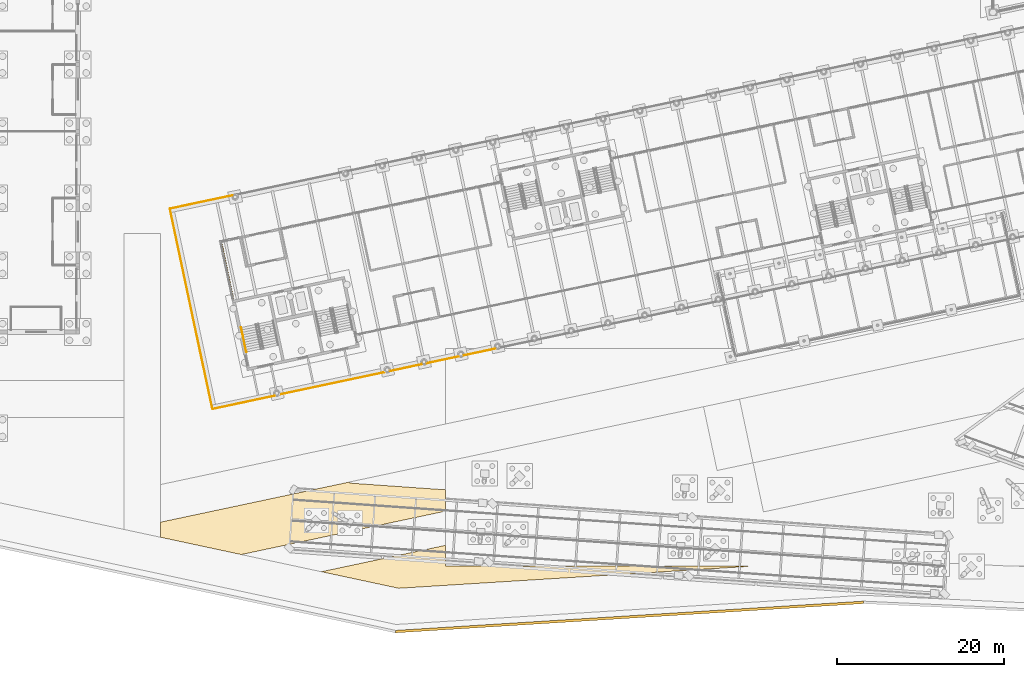
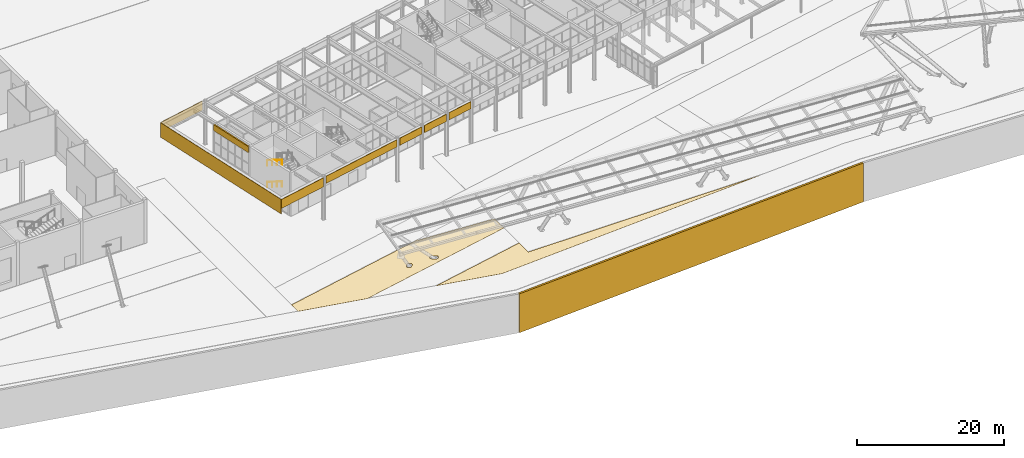
# One storey, part 203 of 239: 11 coverings, 2 railings.
"""IFC4 building model written with IfcOpenShell, lengths in metres."""

from ifc_helpers import new_model, si_unit, direction, frame, origin, origin_2d, place, context, subcontext, project, spatial, polyline, rectangle, circle, outline, extrude, material, layer, layer_set, type_object, element, save


model = new_model("IFC4")

# Units and contexts
model_context = context("Model", 3, precision=1e-05, world=origin(), true_north=direction((0.0, 1.0)))
body_context = subcontext(model_context, "Body", "Model", "MODEL_VIEW")
ifc_project = project(units=[si_unit("LENGTHUNIT", "METRE"), si_unit("AREAUNIT", "SQUARE_METRE"), si_unit("VOLUMEUNIT", "CUBIC_METRE"), si_unit("PLANEANGLEUNIT", "RADIAN"), si_unit("MASSUNIT", "GRAM", prefix="KILO")], contexts=[model_context])

# Site, building, storey
site_placement = place(None, origin())
site = spatial("IfcSite", under=ifc_project, at=site_placement, CompositionType="ELEMENT")
building_placement = place(site_placement, origin())
building = spatial("IfcBuilding", under=site, at=building_placement, Name="Okhra Congress Centre", CompositionType="ELEMENT")
storey_placement = place(building_placement, origin())
storey = spatial("IfcBuildingStorey", under=building, at=storey_placement, Name="L00", CompositionType="ELEMENT", Elevation=0.0)

# Coverings
ifc_material_1 = material(Name="Dark bronze anodised aluminium fascia panel", Category="aluminium")
ifc_layer_1 = layer(ifc_material_1, 0.06005859375)
ifc_layer_set_1 = layer_set([ifc_layer_1], Name="Dark bronze fascia strip 60")
covering_type_1 = type_object("IfcCoveringType", Name="Dark bronze fascia strip 60", PredefinedType="CLADDING", material=ifc_layer_set_1)
covering_1_placement = place(storey_placement, frame((65.87939453125, 27.583251953125, 5.550048828125), z_axis=(0.0, 0.0, 1.0), x_axis=(0.978147600734, 0.207911690818, 0.0)))
element("IfcCovering", 1, at=covering_1_placement, inside=storey, type_object=covering_type_1, Name="Girder fascia strip", PredefinedType="CLADDING", context=body_context, shape_type="SweptSolid", body=[
    extrude(rectangle(XDim=7.64599609375, YDim=0.06005859375, at=origin_2d()), origin(), (0.0, 0.0, 1.0), 1.5),
])
covering_2_placement = place(storey_placement, frame((76.464599609375, 29.85888671875, 5.85009765625), z_axis=(0.0, 0.0, 1.0), x_axis=(0.978147600734, 0.207911690818, 0.0)))
element("IfcCovering", 2, at=covering_2_placement, inside=storey, type_object=covering_type_1, Name="Girder fascia strip", PredefinedType="CLADDING", context=body_context, shape_type="SweptSolid", body=[
    extrude(rectangle(XDim=12.991943359375, YDim=0.06005859375, at=origin_2d()), origin(), (0.0, 0.0, 1.0), 1.199951171875),
])
for number, where, z_axis, x_axis, name in (
    (3, (85.26806640625, 31.72998046875, 5.85009765625), (0.0, 0.0, 1.0), (0.978147600734, 0.207911690818, 0.0), "Girder fascia strip"),
    (4, (89.669677734375, 32.665771484375, 5.85009765625), (0.0, 0.0, 1.0), (0.978147600734, 0.207911690818, 0.0), "Girder fascia strip"),
    (5, (94.0712890625, 33.601318359375, 5.85009765625), (0.0, 0.0, 1.0), (0.978147600734, 0.207911690818, 0.0), "Girder fascia strip"),
):
    element("IfcCovering", number, at=place(storey_placement, frame(where, z_axis=z_axis, x_axis=x_axis)), inside=storey, type_object=covering_type_1, Name=name, PredefinedType="CLADDING", context=body_context, shape_type="SweptSolid", body=[
        extrude(rectangle(XDim=3.991943359375, YDim=0.06005859375, at=origin_2d()), origin(), (0.0, 0.0, 1.0), 1.199951171875),
    ])
covering_3_placement = place(storey_placement, frame((60.783447265625, 51.557861328125, 5.550048828125), z_axis=(0.0, 0.0, 1.0), x_axis=(0.978147600734, 0.207911690818, 0.0)))
element("IfcCovering", 6, at=covering_3_placement, inside=storey, type_object=covering_type_1, Name="Girder fascia strip", PredefinedType="CLADDING", context=body_context, shape_type="SweptSolid", body=[
    extrude(rectangle(XDim=7.64599609375, YDim=0.06005859375, at=origin_2d()), origin(), (0.0, 0.0, 1.0), 1.5),
])
covering_4_placement = place(storey_placement, frame((59.562744140625, 38.76953125, 4.650146484375), z_axis=(0.0, 0.0, 1.0), x_axis=(0.978147600734, 0.207911690818, 0.0)))
element("IfcCovering", 7, at=covering_4_placement, inside=storey, type_object=covering_type_1, Name="Girder fascia strip", PredefinedType="CLADDING", context=body_context, shape_type="SweptSolid", body=[
    extrude(rectangle(XDim=0.06005859375, YDim=24.449951171875, at=origin_2d()), origin(), (0.0, 0.0, 1.0), 2.39990234375),
])
ifc_material_2 = material(Name="Insulated metal sandwich panel (mineral wool core)")
ifc_layer_2 = layer(ifc_material_2, 0.199951171875)
ifc_layer_set_2 = layer_set([ifc_layer_2], Name="Insulated fascia cladding panel 200")
covering_type_2 = type_object("IfcCoveringType", Name="Insulated fascia cladding panel 200", PredefinedType="CLADDING", material=ifc_layer_set_2)
covering_5_placement = place(storey_placement, frame((63.8486328125, 43.279052734375, 6.050048828125), z_axis=(0.0, 0.0, 1.0), x_axis=(-0.207911690818, 0.978147600734, 0.0)))
element("IfcCovering", 8, at=covering_5_placement, inside=storey, type_object=covering_type_2, Name="Fascia over glazing", PredefinedType="CLADDING", context=body_context, shape_type="SweptSolid", body=[
    extrude(rectangle(XDim=7.090087890625, YDim=0.199951171875, at=origin_2d()), origin(), (0.0, 0.0, 1.0), 1.0),
])
ifc_material_3 = material(Name="Compacted engineered fill face with geotextile and turf")
ifc_layer_3 = layer(ifc_material_3, 0.300048828125)
ifc_layer_set_3 = layer_set([ifc_layer_3], Name="Site ground edge (engineered fill face)")
covering_type_3 = type_object("IfcCoveringType", Name="Site ground edge (engineered fill face)", PredefinedType="USERDEFINED", material=ifc_layer_set_3)
covering_6_placement = place(storey_placement, frame((0.0, 0.0, -6.5)))
element("IfcCovering", 9, at=covering_6_placement, inside=storey, type_object=covering_type_3, Name="Site ground edge (engineered fill face) 3", ObjectType="Site ground edge (engineered fill face)", PredefinedType="USERDEFINED", context=body_context, shape_type="SweptSolid", body=[
    extrude(outline(polyline([(84.0, 0.0), (140.0, 3.5), (139.99755859375, 3.80029296875), (84.0224609375, 0.302001953125), (84.0, 0.0)])), origin(), (0.0, 0.0, 1.0), 6.449951171875),
])
ifc_material_4 = material(Name="Compacted engineered fill with topsoil and grass or paving bed")
ifc_layer_4 = layer(ifc_material_4, 0.050048828125)
ifc_layer_set_4 = layer_set([ifc_layer_4], Name="Site ground surface (engineered fill and landscape)")
covering_type_4 = type_object("IfcCoveringType", Name="Site ground surface (engineered fill and landscape)", PredefinedType="FLOORING", material=ifc_layer_set_4)
covering_7_placement = place(storey_placement, frame((0.0, 0.0, -0.10009765625)))
element("IfcCovering", 10, at=covering_7_placement, inside=storey, type_object=covering_type_4, Name="Site ground surface (engineered fill and landscape) 2", PredefinedType="FLOORING", context=body_context, shape_type="SweptSolid", body=[
    extrude(outline(polyline([(75.13818359375, 7.31982421875), (84.397216796875, 5.335693359375), (126.205322265625, 7.94873046875), (126.203857421875, 7.99951171875), (89.99951171875, 7.99951171875), (89.99951171875, 10.478759765625), (75.13818359375, 7.31982421875)])), origin(), (0.0, 0.0, 1.0), 0.050048828125),
])
covering_8_placement = place(storey_placement, frame((0.0, 0.0, -0.10009765625)))
element("IfcCovering", 11, at=covering_8_placement, inside=storey, type_object=covering_type_4, Name="Site ground surface (engineered fill and landscape) 4", PredefinedType="FLOORING", context=body_context, shape_type="SweptSolid", body=[
    extrude(outline(polyline([(55.900634765625, 11.442138671875), (65.5546875, 9.37353515625), (89.99951171875, 14.5693359375), (89.99951171875, 17.12158203125), (78.487548828125, 17.926513671875), (78.47900390625, 18.049072265625), (55.900634765625, 13.249755859375), (55.900634765625, 11.442138671875)]), holes=[polyline([(77.740478515625, 13.343505859375), (77.7509765625, 13.310302734375), (77.764404296875, 13.2783203125), (77.781005859375, 13.247802734375), (77.800537109375, 13.218994140625), (77.82275390625, 13.192138671875), (77.847412109375, 13.167724609375), (77.87451171875, 13.145751953125), (77.903564453125, 13.126708984375), (78.361083984375, 12.8564453125), (78.391845703125, 12.84033203125), (78.424072265625, 12.8271484375), (78.45751953125, 12.8173828125), (78.49169921875, 12.810791015625), (78.5263671875, 12.8076171875), (78.56103515625, 12.807861328125), (78.595703125, 12.8115234375), (78.6298828125, 12.818603515625), (78.6630859375, 12.828857421875), (78.695068359375, 12.84228515625), (78.7255859375, 12.85888671875), (78.75439453125, 12.87841796875), (78.78125, 12.900634765625), (78.8056640625, 12.925537109375), (78.82763671875, 12.952392578125), (78.8466796875, 12.981689453125), (78.86279296875, 13.012451171875), (78.8759765625, 13.044677734375), (78.885986328125, 13.077880859375), (78.892578125, 13.112060546875), (78.8955078125, 13.146728515625), (78.8955078125, 13.181640625), (78.891845703125, 13.21630859375), (78.884765625, 13.250244140625), (78.87451171875, 13.283447265625), (78.86083984375, 13.315673828125), (78.84423828125, 13.34619140625), (78.82470703125, 13.375), (78.802490234375, 13.401611328125), (78.77783203125, 13.42626953125), (78.750732421875, 13.447998046875), (78.7216796875, 13.46728515625), (78.264404296875, 13.7373046875), (78.2333984375, 13.753662109375), (78.201171875, 13.7666015625), (78.16796875, 13.776611328125), (78.1337890625, 13.783203125), (78.09912109375, 13.786376953125), (78.064208984375, 13.7861328125), (78.029541015625, 13.782470703125), (77.99560546875, 13.775390625), (77.96240234375, 13.76513671875), (77.930419921875, 13.751708984375), (77.899658203125, 13.735107421875), (77.870849609375, 13.715576171875), (77.843994140625, 13.693115234375), (77.819580078125, 13.66845703125), (77.7978515625, 13.641357421875), (77.778564453125, 13.6123046875), (77.762451171875, 13.58154296875), (77.749267578125, 13.54931640625), (77.739501953125, 13.51611328125), (77.73291015625, 13.481689453125), (77.729736328125, 13.447021484375), (77.72998046875, 13.412353515625), (77.7333984375, 13.377685546875), (77.740478515625, 13.343505859375)]), polyline([(74.29638671875, 12.825439453125), (74.3310546875, 12.827392578125), (74.365478515625, 12.832763671875), (74.399169921875, 12.841552734375), (74.431884765625, 12.853515625), (74.463134765625, 12.868408203125), (74.492919921875, 12.88671875), (74.520751953125, 12.907470703125), (74.54638671875, 12.93115234375), (74.8037109375, 13.19189453125), (74.826904296875, 13.218017578125), (74.847412109375, 13.24609375), (74.864990234375, 13.27587890625), (74.879638671875, 13.3076171875), (74.89111328125, 13.34033203125), (74.8994140625, 13.374267578125), (74.904296875, 13.40869140625), (74.90576171875, 13.443359375), (74.90380859375, 13.47802734375), (74.8984375, 13.512451171875), (74.8896484375, 13.546142578125), (74.877685546875, 13.578857421875), (74.86279296875, 13.610107421875), (74.844482421875, 13.639892578125), (74.82373046875, 13.667724609375), (74.800048828125, 13.693359375), (74.774169921875, 13.716552734375), (74.74609375, 13.737060546875), (74.716064453125, 13.7548828125), (74.6845703125, 13.76953125), (74.651611328125, 13.781005859375), (74.617919921875, 13.789306640625), (74.58349609375, 13.7939453125), (74.548583984375, 13.79541015625), (74.513916015625, 13.793701171875), (74.4794921875, 13.7880859375), (74.44580078125, 13.779541015625), (74.4130859375, 13.767578125), (74.3818359375, 13.75244140625), (74.35205078125, 13.734375), (74.32421875, 13.71337890625), (74.298583984375, 13.68994140625), (74.04150390625, 13.42919921875), (74.018310546875, 13.403076171875), (73.997802734375, 13.375), (73.97998046875, 13.34521484375), (73.96533203125, 13.3134765625), (73.953857421875, 13.280517578125), (73.945556640625, 13.246826171875), (73.94091796875, 13.21240234375), (73.939208984375, 13.177490234375), (73.941162109375, 13.142822265625), (73.946533203125, 13.1083984375), (73.955322265625, 13.07470703125), (73.96728515625, 13.0419921875), (73.982421875, 13.0107421875), (74.00048828125, 12.98095703125), (74.021240234375, 12.953125), (74.044921875, 12.927490234375), (74.07080078125, 12.904296875), (74.098876953125, 12.8837890625), (74.12890625, 12.8662109375), (74.160400390625, 12.8515625), (74.193359375, 12.840087890625), (74.22705078125, 12.831787109375), (74.26171875, 12.826904296875), (74.29638671875, 12.825439453125)])]), origin(), (0.0, 0.0, 1.0), 0.050048828125),
])

# Railings
ifc_material_5 = material(Name="Painted steel tube handrail on wall brackets", Category="steel")
railing_type = type_object("IfcRailingType", Name="Steel handrail 900", PredefinedType="HANDRAIL", material=ifc_material_5)
railing_1_placement = place(storey_placement, frame((65.537109375, 36.537841796875, 1.963623046875)))
element("IfcRailing", 12, at=railing_1_placement, inside=storey, type_object=railing_type, Name="L00 BS1A stair handrail 2", PredefinedType="HANDRAIL", context=body_context, shape_type="SweptSolid", body=[
    extrude(circle(Radius=0.02392578125, at=origin_2d()), frame((0.0, 0.0, 0.8759765625), z_axis=(0.182539774255, -0.858687102456, 0.478890061383), x_axis=(0.978142921837, 0.207933702079, 0.0)), (0.0, 0.0, 1.0), 3.417236328125),
    extrude(circle(Radius=0.02099609375, at=origin_2d()), origin(), (0.0, 0.0, 1.0), 0.851806640625),
    extrude(circle(Radius=0.02099609375, at=origin_2d()), frame((0.2080078125, -0.97802734375, 0.54541015625)), (0.0, 0.0, 1.0), 0.851806640625),
    extrude(circle(Radius=0.02099609375, at=origin_2d()), frame((0.415771484375, -1.956298828125, 1.091064453125)), (0.0, 0.0, 1.0), 0.851806640625),
    extrude(circle(Radius=0.02099609375, at=origin_2d()), frame((0.623779296875, -2.934326171875, 1.636474609375)), (0.0, 0.0, 1.0), 0.851806640625),
])
railing_2_placement = place(storey_placement, frame((65.537109375, 36.537841796875, 5.563720703125)))
element("IfcRailing", 13, at=railing_2_placement, inside=storey, type_object=railing_type, Name="L00 BS1A stair handrail 4", PredefinedType="HANDRAIL", context=body_context, shape_type="SweptSolid", body=[
    extrude(circle(Radius=0.02392578125, at=origin_2d()), frame((0.0, 0.0, 0.8759765625), z_axis=(0.182546019505, -0.858716480796, 0.478834999109), x_axis=(0.978142921837, 0.207933702079, 0.0)), (0.0, 0.0, 1.0), 3.4169921875),
    extrude(circle(Radius=0.02099609375, at=origin_2d()), origin(), (0.0, 0.0, 1.0), 0.851806640625),
    extrude(circle(Radius=0.02099609375, at=origin_2d()), frame((0.2080078125, -0.97802734375, 0.54541015625)), (0.0, 0.0, 1.0), 0.851806640625),
    extrude(circle(Radius=0.02099609375, at=origin_2d()), frame((0.415771484375, -1.956298828125, 1.0908203125)), (0.0, 0.0, 1.0), 0.851806640625),
    extrude(circle(Radius=0.02099609375, at=origin_2d()), frame((0.623779296875, -2.934326171875, 1.63623046875)), (0.0, 0.0, 1.0), 0.851806640625),
])

save(model, "model.ifc")
